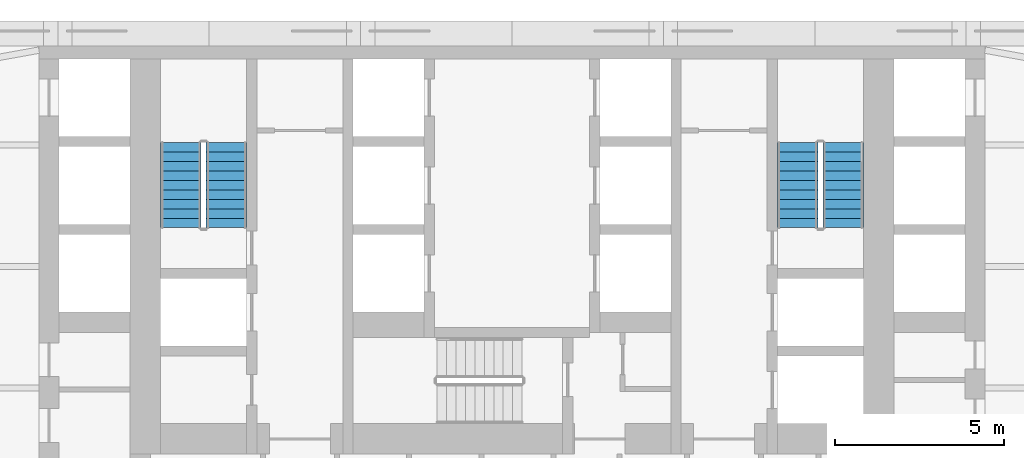
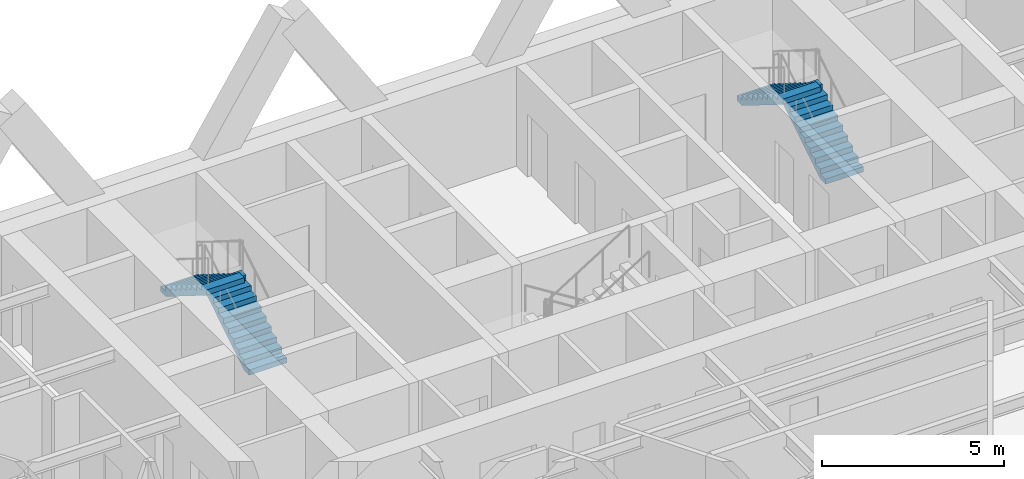
# One storey, part 10 of 12: 4 stair flights, 2 elements without a shape of their own.
"""IFC4 building model written with IfcOpenShell, lengths in metres."""

import ifcopenshell
import ifcopenshell.guid

model = None  # the IFC model being written
_history = None  # IfcOwnerHistory: only IFC2X3 demands one
_inside = {}  # id of a spatial element -> (the spatial element, [elements in it])
_under = {}  # id of a project, library or spatial element -> (it, [spatial elements below it])
_declared = {}  # id of a project -> (the project, [libraries it declares])
_typed = {}  # id of a type object -> (the type object, [elements of that type])
_made_of = {}  # id of a material, layer set ... -> (it, [elements and type objects made of it])


def new_model(schema):
    """Start an empty IFC model of exactly this schema.

    Asked for "IFC4X3", IfcOpenShell would pick the latest addendum, in which some entities
    have other attributes; the version numbers below select the first issue.
    IFC2X3 requires an IfcOwnerHistory on every rooted entity: one is made here for all.
    """
    global model, _history
    if schema == "IFC4X3":
        model = ifcopenshell.file(schema_version=(4, 3, 0, 0))
    else:
        model = ifcopenshell.file(schema=schema)
    _inside.clear()
    _under.clear()
    _declared.clear()
    _typed.clear()
    _made_of.clear()
    _history = None
    if model.schema == "IFC2X3":
        org = make("IfcOrganization", Name="unknown")
        user = make(
            "IfcPersonAndOrganization",
            ThePerson=make("IfcPerson", FamilyName="unknown"),
            TheOrganization=org,
        )
        app = make(
            "IfcApplication",
            ApplicationDeveloper=org,
            Version="unknown",
            ApplicationFullName="unknown",
            ApplicationIdentifier="unknown",
        )
        _history = make(
            "IfcOwnerHistory",
            OwningUser=user,
            OwningApplication=app,
            ChangeAction="ADDED",
            CreationDate=0,
        )
    return model


def make(cls, **values):
    """One entity of the class cls with the attributes given. An attribute that is None is left unset."""
    return model.create_entity(
        cls, **{name: value for name, value in values.items() if value is not None}
    )


def rooted(cls, **values):
    """An entity with a GlobalId (a new one), such as an element, a storey or a relation."""
    return make(cls, GlobalId=ifcopenshell.guid.new(), OwnerHistory=_history, **values)


def si_unit(unit_type, name, prefix=None):
    """IfcSIUnit, for example si_unit("LENGTHUNIT", "METRE", prefix="MILLI")."""
    return make("IfcSIUnit", UnitType=unit_type, Prefix=prefix, Name=name)


def assignment(units):
    """IfcUnitAssignment: the units of a project."""
    return None if units is None else make("IfcUnitAssignment", Units=units)


def point(xyz):
    """IfcCartesianPoint."""
    return None if xyz is None else make("IfcCartesianPoint", Coordinates=xyz)


def direction(xyz):
    """IfcDirection."""
    return None if xyz is None else make("IfcDirection", DirectionRatios=xyz)


def frame(location, z_axis=None, x_axis=None):
    """IfcAxis2Placement3D, a coordinate frame: its origin and axes. An axis left out is left unset."""
    return make(
        "IfcAxis2Placement3D",
        Location=point(location),
        Axis=direction(z_axis),
        RefDirection=direction(x_axis),
    )


def origin():
    """The frame at (0, 0, 0) with its axes left unset."""
    return frame((0.0, 0.0, 0.0))


def place(relative_to, where):
    """IfcLocalPlacement: puts the frame where relative to a parent placement (None: the world)."""
    return make(
        "IfcLocalPlacement", PlacementRelTo=relative_to, RelativePlacement=where
    )


def context(
    kind, dimensions, precision=None, world=None, true_north=None, identifier=None
):
    """IfcGeometricRepresentationContext, for example the 3D "Model" context."""
    return make(
        "IfcGeometricRepresentationContext",
        ContextIdentifier=identifier,
        ContextType=kind,
        CoordinateSpaceDimension=dimensions,
        Precision=precision,
        WorldCoordinateSystem=world,
        TrueNorth=true_north,
    )


def subcontext(parent, identifier, kind, view, scale=None):
    """IfcGeometricRepresentationSubContext, for example "Body" below "Model"."""
    return make(
        "IfcGeometricRepresentationSubContext",
        ContextIdentifier=identifier,
        ContextType=kind,
        ParentContext=parent,
        TargetScale=scale,
        TargetView=view,
    )


def project(units=None, contexts=None):
    """IfcProject with its units and contexts."""
    return rooted(
        "IfcProject",
        Name="project",
        RepresentationContexts=contexts,
        UnitsInContext=assignment(units),
    )


def spatial(cls, under=None, at=None, **own):
    """A site, building, storey or space (cls), placed at a placement, below another one or the project."""
    s = rooted(cls, ObjectPlacement=at, **own)
    if under is not None:
        _under.setdefault(under.id(), (under, []))[1].append(s)
    return s


def polyline(points):
    """IfcPolyline through the points."""
    return make("IfcPolyline", Points=[point(p) for p in points])


def outline(outer, holes=None, kind="AREA"):
    """IfcArbitraryClosedProfileDef: a profile drawn as a closed curve; with holes, ...WithVoids."""
    if holes is None:
        return make("IfcArbitraryClosedProfileDef", ProfileType=kind, OuterCurve=outer)
    return make(
        "IfcArbitraryProfileDefWithVoids",
        ProfileType=kind,
        OuterCurve=outer,
        InnerCurves=holes,
    )


def extrude(swept, where, along, depth):
    """IfcExtrudedAreaSolid: the profile swept, set in the frame where, extruded along a direction by depth."""
    return make(
        "IfcExtrudedAreaSolid",
        SweptArea=swept,
        Position=where,
        ExtrudedDirection=direction(along),
        Depth=depth,
    )


def shape(context_of_items, identifier, shape_type, items):
    """IfcShapeRepresentation: the items that make up one representation, for example the "Body"."""
    return make(
        "IfcShapeRepresentation",
        ContextOfItems=context_of_items,
        RepresentationIdentifier=identifier,
        RepresentationType=shape_type,
        Items=items,
    )


def material(Name=None, Category=None):
    """IfcMaterial."""
    return make("IfcMaterial", Name=Name, Category=Category)


def made_of(thing, what):
    """Note that an element or type object is made of a material, layer set ...; save() writes the relation."""
    if what is not None:
        _made_of.setdefault(what.id(), (what, []))[1].append(thing)
    return thing


def type_object(cls, material=None, **own):
    """A type object (cls), such as IfcWallType, which elements share."""
    return made_of(rooted(cls, **own), material)


def element(
    cls,
    number,
    at=None,
    inside=None,
    cuts=None,
    type_object=None,
    material=None,
    context=None,
    identifier="Body",
    shape_type=None,
    held_by="IfcProductDefinitionShape",
    body=None,
    shapes=None,
    **own,
):
    """One element of the class cls, such as IfcWall. Its Tag is "e" and its number.

    at: its placement. inside: the storey or other place that contains it. cuts: it is an
    opening in that element (IfcRelVoidsElement). A single representation is given by context,
    identifier, shape_type and body (its items); several are given by shapes. held_by: the class
    of the entity that holds the representations. save() writes the other relations.
    """
    e = rooted(cls, Tag="e%d" % number, ObjectPlacement=at, **own)
    if body is not None:
        shapes = [shape(context, identifier, shape_type, body)]
    if shapes is not None:
        e.Representation = make(held_by, Representations=shapes)
    if inside is not None:
        _inside.setdefault(inside.id(), (inside, []))[1].append(e)
    if cuts is not None:
        rooted(
            "IfcRelVoidsElement", RelatingBuildingElement=cuts, RelatedOpeningElement=e
        )
    if type_object is not None:
        _typed.setdefault(type_object.id(), (type_object, []))[1].append(e)
    return made_of(e, material)


def aggregate(whole, parts):
    """IfcRelAggregates: a whole, such as a stair, and the parts it consists of."""
    return rooted("IfcRelAggregates", RelatingObject=whole, RelatedObjects=parts)


def save(model, path):
    """Write the relations noted so far, then the file.

    IfcRelAggregates (storeys below a building ...), IfcRelContainedInSpatialStructure (elements
    in a storey), IfcRelDefinesByType, IfcRelAssociatesMaterial and IfcRelDeclares: one each for
    every whole, place, type object, material and project.
    """
    for whole, parts in _under.values():
        aggregate(whole, parts)
    for where, things in _inside.values():
        rooted(
            "IfcRelContainedInSpatialStructure",
            RelatedElements=things,
            RelatingStructure=where,
        )
    for kind, things in _typed.values():
        rooted("IfcRelDefinesByType", RelatedObjects=things, RelatingType=kind)
    for what, things in _made_of.values():
        rooted("IfcRelAssociatesMaterial", RelatedObjects=things, RelatingMaterial=what)
    for by, libraries in _declared.values():
        rooted("IfcRelDeclares", RelatingContext=by, RelatedDefinitions=libraries)
    model.write(path)


model = new_model("IFC4")

# Units and contexts
model_context = context("Model", 3, precision=1e-05, world=origin(), true_north=direction((0.0, 1.0)))
body_context = subcontext(model_context, "Body", "Model", "MODEL_VIEW")
ifc_project = project(units=[si_unit("LENGTHUNIT", "METRE"), si_unit("AREAUNIT", "SQUARE_METRE"), si_unit("VOLUMEUNIT", "CUBIC_METRE"), si_unit("PLANEANGLEUNIT", "RADIAN"), si_unit("MASSUNIT", "GRAM", prefix="KILO")], contexts=[model_context])

# Site, building, storey
site_placement = place(None, origin())
site = spatial("IfcSite", under=ifc_project, at=site_placement, CompositionType="ELEMENT")
building_placement = place(site_placement, origin())
building = spatial("IfcBuilding", under=site, at=building_placement, Name="Aloe Facet Convention Tower", CompositionType="ELEMENT")
storey_placement = place(building_placement, frame((0.0, 0.0, 56.0)))
storey = spatial("IfcBuildingStorey", under=building, at=storey_placement, Name="L12", CompositionType="ELEMENT", Elevation=56.0)

# Stair, stair flights
ifc_material_1 = material(Name="Concrete C50/60", Category="concrete")
stair_type = type_object("IfcStairType", Name="CR-ST-20R", PredefinedType="HALF_TURN_STAIR", material=ifc_material_1)
stair_1_placement = place(storey_placement, origin())
stair_1 = element("IfcStair", 1, at=stair_1_placement, inside=storey, type_object=stair_type, Name="L12 Protected exit stair ST1", PredefinedType="HALF_TURN_STAIR")
ifc_material_2 = material(Name="Concrete C50/60", Category="concrete")
stair_flight_type = type_object("IfcStairFlightType", Name="CR-SFL-20R", PredefinedType="STRAIGHT", material=ifc_material_2)
stair_flight_1_placement = place(storey_placement, frame((71.550048828125, 128.949951171875, 0.0), z_axis=(0.0, 0.0, 1.0), x_axis=(0.0, 1.0, 0.0)))
stair_flight_1 = element("IfcStairFlight", 2, at=stair_flight_1_placement, type_object=stair_flight_type, Name="ST1 flight 1", NumberOfRisers=10, NumberOfTreads=9, PredefinedType="STRAIGHT", RiserHeight=0.175, TreadLength=0.28, context=body_context, shape_type="SweptSolid", body=[
    extrude(outline(polyline([(0.0, 0.0), (0.0, 0.175048828125), (0.280029296875, 0.175048828125), (0.280029296875, 0.35009765625), (0.56005859375, 0.35009765625), (0.56005859375, 0.52490234375), (0.840087890625, 0.52490234375), (0.840087890625, 0.699951171875), (1.1201171875, 0.699951171875), (1.1201171875, 0.875), (1.39990234375, 0.875), (1.39990234375, 1.050048828125), (1.679931640625, 1.050048828125), (1.679931640625, 1.22509765625), (1.9599609375, 1.22509765625), (1.9599609375, 1.39990234375), (2.239990234375, 1.39990234375), (2.239990234375, 1.574951171875), (2.52001953125, 1.574951171875), (2.52001953125, 1.75), (2.52001953125, 1.398193359375), (0.28271484375, 0.0), (0.0, 0.0)])), frame((0.0, 0.60009765625, 0.0), z_axis=(0.0, -1.0, 0.0), x_axis=(1.0, 0.0, 0.0)), (0.0, 0.0, 1.0), 1.199951171875),
])
stair_flight_2_placement = place(storey_placement, frame((70.199951171875, 131.469970703125, 1.75), z_axis=(0.0, 0.0, 1.0), x_axis=(0.0, -1.0, 0.0)))
stair_flight_2 = element("IfcStairFlight", 3, at=stair_flight_2_placement, type_object=stair_flight_type, Name="ST1 flight 2", NumberOfRisers=10, NumberOfTreads=9, PredefinedType="STRAIGHT", RiserHeight=0.175, TreadLength=0.28, context=body_context, shape_type="SweptSolid", body=[
    extrude(outline(polyline([(0.0, 0.0), (0.0, 0.175048828125), (0.280029296875, 0.175048828125), (0.280029296875, 0.35009765625), (0.56005859375, 0.35009765625), (0.56005859375, 0.52490234375), (0.840087890625, 0.52490234375), (0.840087890625, 0.699951171875), (1.1201171875, 0.699951171875), (1.1201171875, 0.875), (1.39990234375, 0.875), (1.39990234375, 1.050048828125), (1.679931640625, 1.050048828125), (1.679931640625, 1.22509765625), (1.9599609375, 1.22509765625), (1.9599609375, 1.39990234375), (2.239990234375, 1.39990234375), (2.239990234375, 1.574951171875), (2.52001953125, 1.574951171875), (2.52001953125, 1.75), (2.52001953125, 1.398193359375), (0.28271484375, 0.0), (0.0, 0.0)])), frame((0.0, 0.60009765625, 0.0), z_axis=(0.0, -1.0, 0.0), x_axis=(1.0, 0.0, 0.0)), (0.0, 0.0, 1.0), 1.199951171875),
])
aggregate(stair_1, [stair_flight_1, stair_flight_2])

stair_2_placement = place(storey_placement, origin())
stair_2 = element("IfcStair", 4, at=stair_2_placement, inside=storey, type_object=stair_type, Name="L12 Protected exit stair ST2", PredefinedType="HALF_TURN_STAIR")
stair_flight_3_placement = place(storey_placement, frame((89.800048828125, 128.949951171875, 0.0), z_axis=(0.0, 0.0, 1.0), x_axis=(0.0, 1.0, 0.0)))
stair_flight_3 = element("IfcStairFlight", 5, at=stair_flight_3_placement, type_object=stair_flight_type, Name="ST2 flight 1", NumberOfRisers=10, NumberOfTreads=9, PredefinedType="STRAIGHT", RiserHeight=0.175, TreadLength=0.28, context=body_context, shape_type="SweptSolid", body=[
    extrude(outline(polyline([(0.0, 0.0), (0.0, 0.175048828125), (0.280029296875, 0.175048828125), (0.280029296875, 0.35009765625), (0.56005859375, 0.35009765625), (0.56005859375, 0.52490234375), (0.840087890625, 0.52490234375), (0.840087890625, 0.699951171875), (1.1201171875, 0.699951171875), (1.1201171875, 0.875), (1.39990234375, 0.875), (1.39990234375, 1.050048828125), (1.679931640625, 1.050048828125), (1.679931640625, 1.22509765625), (1.9599609375, 1.22509765625), (1.9599609375, 1.39990234375), (2.239990234375, 1.39990234375), (2.239990234375, 1.574951171875), (2.52001953125, 1.574951171875), (2.52001953125, 1.75), (2.52001953125, 1.398193359375), (0.28271484375, 0.0), (0.0, 0.0)])), frame((0.0, 0.60009765625, 0.0), z_axis=(0.0, -1.0, 0.0), x_axis=(1.0, 0.0, 0.0)), (0.0, 0.0, 1.0), 1.199951171875),
])
stair_flight_4_placement = place(storey_placement, frame((88.449951171875, 131.469970703125, 1.75), z_axis=(0.0, 0.0, 1.0), x_axis=(0.0, -1.0, 0.0)))
stair_flight_4 = element("IfcStairFlight", 6, at=stair_flight_4_placement, type_object=stair_flight_type, Name="ST2 flight 2", NumberOfRisers=10, NumberOfTreads=9, PredefinedType="STRAIGHT", RiserHeight=0.175, TreadLength=0.28, context=body_context, shape_type="SweptSolid", body=[
    extrude(outline(polyline([(0.0, 0.0), (0.0, 0.175048828125), (0.280029296875, 0.175048828125), (0.280029296875, 0.35009765625), (0.56005859375, 0.35009765625), (0.56005859375, 0.52490234375), (0.840087890625, 0.52490234375), (0.840087890625, 0.699951171875), (1.1201171875, 0.699951171875), (1.1201171875, 0.875), (1.39990234375, 0.875), (1.39990234375, 1.050048828125), (1.679931640625, 1.050048828125), (1.679931640625, 1.22509765625), (1.9599609375, 1.22509765625), (1.9599609375, 1.39990234375), (2.239990234375, 1.39990234375), (2.239990234375, 1.574951171875), (2.52001953125, 1.574951171875), (2.52001953125, 1.75), (2.52001953125, 1.398193359375), (0.28271484375, 0.0), (0.0, 0.0)])), frame((0.0, 0.60009765625, 0.0), z_axis=(0.0, -1.0, 0.0), x_axis=(1.0, 0.0, 0.0)), (0.0, 0.0, 1.0), 1.199951171875),
])
aggregate(stair_2, [stair_flight_3, stair_flight_4])

save(model, "model.ifc")
